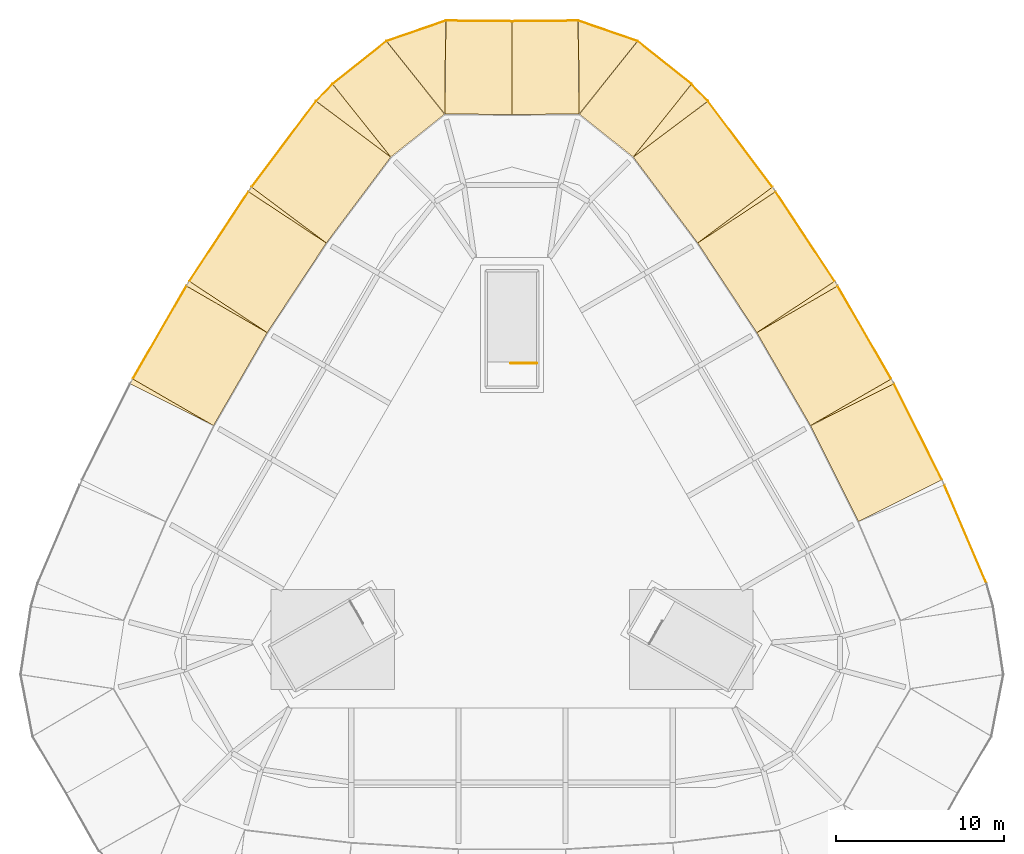
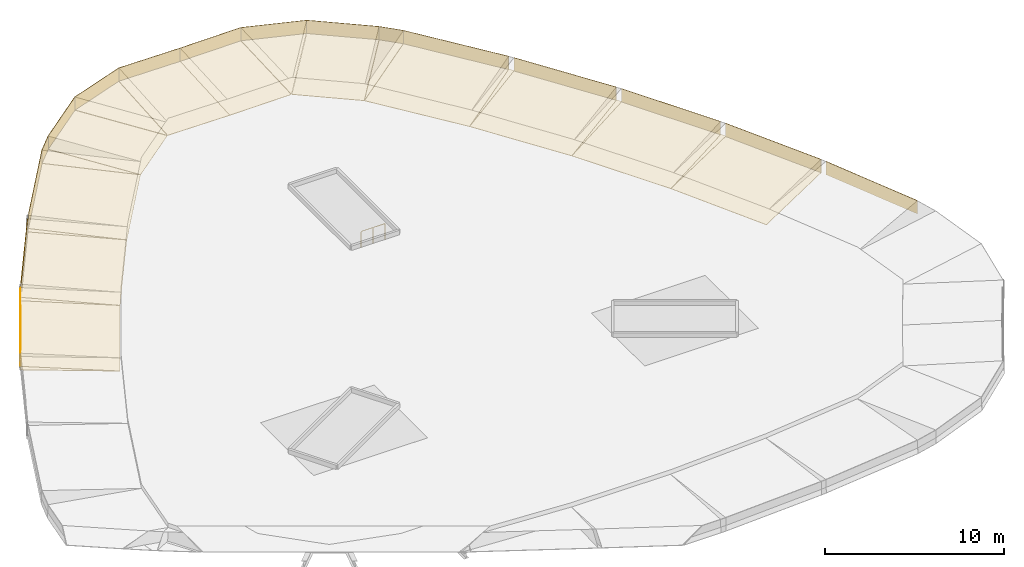
# One storey, part 5 of 9: 37 coverings, 1 railing.
"""IFC4 building model written with IfcOpenShell, lengths in metres."""

from ifc_helpers import new_model, si_unit, direction, frame, origin, origin_2d, place, context, subcontext, project, spatial, polyline, rectangle, circle, outline, extrude, material, layer, layer_set, type_object, element, save


model = new_model("IFC4")

# Units and contexts
model_context = context("Model", 3, precision=1e-05, world=origin(), true_north=direction((0.0, 1.0)))
body_context = subcontext(model_context, "Body", "Model", "MODEL_VIEW")
ifc_project = project(units=[si_unit("LENGTHUNIT", "METRE"), si_unit("AREAUNIT", "SQUARE_METRE"), si_unit("VOLUMEUNIT", "CUBIC_METRE"), si_unit("PLANEANGLEUNIT", "RADIAN"), si_unit("MASSUNIT", "GRAM", prefix="KILO")], contexts=[model_context])

# Site, building, storey
site_placement = place(None, origin())
site = spatial("IfcSite", under=ifc_project, at=site_placement, CompositionType="ELEMENT")
building_placement = place(site_placement, origin())
building = spatial("IfcBuilding", under=site, at=building_placement, Name="Mestral Congress Tower", CompositionType="ELEMENT")
storey_placement = place(building_placement, frame((0.0, 0.0, 348.60009765625)))
storey = spatial("IfcBuildingStorey", under=building, at=storey_placement, Name="L81", CompositionType="ELEMENT", Elevation=348.60009765625)

# Coverings
ifc_material_1 = material(Name="Larch timber", Category="wood")
ifc_layer_1 = layer(ifc_material_1, 0.030029296875)
ifc_layer_set_1 = layer_set([ifc_layer_1], Name="Larch timber")
covering_type_1 = type_object("IfcCoveringType", Name="Crown canopy timber fascia 30", PredefinedType="CLADDING", material=ifc_layer_set_1)
for number, where, z_axis, x_axis, name in (
    (1, (27.039794921875, 0.101318359375, 0.320068359375), (0.0, 0.0, 1.0), (-0.393354694328, 0.919386798062, 0.0), "Canopy fascia 20"),
    (2, (24.208984375, 6.2080078125, 0.320068359375), (0.0, 0.0, 1.0), (-0.447464111303, 0.894301889239, 0.0), "Canopy fascia 22"),
):
    element("IfcCovering", number, at=place(storey_placement, frame(where, z_axis=z_axis, x_axis=x_axis)), inside=storey, type_object=covering_type_1, Name=name, PredefinedType="CLADDING", context=body_context, shape_type="SweptSolid", body=[
        extrude(rectangle(XDim=6.39892578125, YDim=0.030029296875, at=origin_2d()), origin(), (0.0, 0.0, 1.0), 0.89990234375),
    ])
covering_1_placement = place(storey_placement, frame((21.0185546875, 12.135009765625, 0.320068359375), z_axis=(0.0, 0.0, 1.0), x_axis=(-0.500004534492, 0.866022785779, 0.0)))
element("IfcCovering", 3, at=covering_1_placement, inside=storey, type_object=covering_type_1, Name="Canopy fascia 24", PredefinedType="CLADDING", context=body_context, shape_type="SweptSolid", body=[
    extrude(rectangle(XDim=6.399169921875, YDim=0.030029296875, at=origin_2d()), origin(), (0.0, 0.0, 1.0), 0.89990234375),
])
for number, where, z_axis, x_axis, name in (
    (4, (17.480712890625, 17.861572265625, 0.320068359375), (0.0, 0.0, 1.0), (-0.550741531324, 0.83467584467, 0.0), "Canopy fascia 26"),
    (5, (13.607666015625, 23.36669921875, 0.320068359375), (0.0, 0.0, 1.0), (-0.599544753919, 0.800341232255, 0.0), "Canopy fascia 28"),
):
    element("IfcCovering", number, at=place(storey_placement, frame(where, z_axis=z_axis, x_axis=x_axis)), inside=storey, type_object=covering_type_1, Name=name, PredefinedType="CLADDING", context=body_context, shape_type="SweptSolid", body=[
        extrude(rectangle(XDim=6.39892578125, YDim=0.030029296875, at=origin_2d()), origin(), (0.0, 0.0, 1.0), 0.89990234375),
    ])
covering_2_placement = place(storey_placement, frame((11.193603515625, 26.438720703125, 0.320068359375), z_axis=(0.0, 0.0, 1.0), x_axis=(-0.696211037851, 0.717837161739, 0.0)))
element("IfcCovering", 6, at=covering_2_placement, inside=storey, type_object=covering_type_1, Name="Canopy fascia 29", PredefinedType="CLADDING", context=body_context, shape_type="SweptSolid", body=[
    extrude(rectangle(XDim=1.42041015625, YDim=0.030029296875, at=origin_2d()), origin(), (0.0, 0.0, 1.0), 0.89990234375),
])
covering_3_placement = place(storey_placement, frame((9.0966796875, 28.227294921875, 0.320068359375), z_axis=(0.0, 0.0, 1.0), x_axis=(-0.781632613947, 0.623739093543, 0.0)))
element("IfcCovering", 7, at=covering_3_placement, inside=storey, type_object=covering_type_1, Name="Canopy fascia 30", PredefinedType="CLADDING", context=body_context, shape_type="SweptSolid", body=[
    extrude(rectangle(XDim=4.096435546875, YDim=0.030029296875, at=origin_2d()), origin(), (0.0, 0.0, 1.0), 0.89990234375),
])
covering_4_placement = place(storey_placement, frame((5.71826171875, 30.11865234375, 0.320068359375), z_axis=(0.0, 0.0, 1.0), x_axis=(-0.945391790119, 0.325936133583, 0.0)))
element("IfcCovering", 8, at=covering_4_placement, inside=storey, type_object=covering_type_1, Name="Canopy fascia 31", PredefinedType="CLADDING", context=body_context, shape_type="SweptSolid", body=[
    extrude(rectangle(XDim=3.751220703125, YDim=0.030029296875, at=origin_2d()), origin(), (0.0, 0.0, 1.0), 0.89990234375),
])
for number, where, z_axis, x_axis, name in (
    (9, (1.969970703125, 30.712158203125, 0.320068359375), (0.0, 0.0, 1.0), (-0.999954727638, -0.009515391485, 0.0), "Canopy fascia 32"),
    (10, (-1.969970703125, 30.712158203125, 0.320068359375), (0.0, 0.0, 1.0), (-0.999954727638, 0.009515391485, 0.0), "Canopy fascia 34"),
):
    element("IfcCovering", number, at=place(storey_placement, frame(where, z_axis=z_axis, x_axis=x_axis)), inside=storey, type_object=covering_type_1, Name=name, PredefinedType="CLADDING", context=body_context, shape_type="SweptSolid", body=[
        extrude(rectangle(XDim=3.9404296875, YDim=0.030029296875, at=origin_2d()), origin(), (0.0, 0.0, 1.0), 0.89990234375),
    ])
covering_5_placement = place(storey_placement, frame((-5.71826171875, 30.11865234375, 0.320068359375), z_axis=(0.0, 0.0, 1.0), x_axis=(-0.945391790119, -0.325936133583, 0.0)))
element("IfcCovering", 11, at=covering_5_placement, inside=storey, type_object=covering_type_1, Name="Canopy fascia 35", PredefinedType="CLADDING", context=body_context, shape_type="SweptSolid", body=[
    extrude(rectangle(XDim=3.751220703125, YDim=0.030029296875, at=origin_2d()), origin(), (0.0, 0.0, 1.0), 0.89990234375),
])
covering_6_placement = place(storey_placement, frame((-9.0966796875, 28.227294921875, 0.320068359375), z_axis=(0.0, 0.0, 1.0), x_axis=(-0.781632613947, -0.623739093543, 0.0)))
element("IfcCovering", 12, at=covering_6_placement, inside=storey, type_object=covering_type_1, Name="Canopy fascia 36", PredefinedType="CLADDING", context=body_context, shape_type="SweptSolid", body=[
    extrude(rectangle(XDim=4.096435546875, YDim=0.030029296875, at=origin_2d()), origin(), (0.0, 0.0, 1.0), 0.89990234375),
])
covering_7_placement = place(storey_placement, frame((-11.193603515625, 26.438720703125, 0.320068359375), z_axis=(0.0, 0.0, 1.0), x_axis=(-0.696211037851, -0.717837161739, 0.0)))
element("IfcCovering", 13, at=covering_7_placement, inside=storey, type_object=covering_type_1, Name="Canopy fascia 37", PredefinedType="CLADDING", context=body_context, shape_type="SweptSolid", body=[
    extrude(rectangle(XDim=1.42041015625, YDim=0.030029296875, at=origin_2d()), origin(), (0.0, 0.0, 1.0), 0.89990234375),
])
for number, where, z_axis, x_axis, name in (
    (14, (-13.607666015625, 23.36669921875, 0.320068359375), (0.0, 0.0, 1.0), (-0.599544753919, -0.800341232255, 0.0), "Canopy fascia 38"),
    (15, (-17.480712890625, 17.861572265625, 0.320068359375), (0.0, 0.0, 1.0), (-0.550741531324, -0.83467584467, 0.0), "Canopy fascia 40"),
):
    element("IfcCovering", number, at=place(storey_placement, frame(where, z_axis=z_axis, x_axis=x_axis)), inside=storey, type_object=covering_type_1, Name=name, PredefinedType="CLADDING", context=body_context, shape_type="SweptSolid", body=[
        extrude(rectangle(XDim=6.39892578125, YDim=0.030029296875, at=origin_2d()), origin(), (0.0, 0.0, 1.0), 0.89990234375),
    ])
covering_8_placement = place(storey_placement, frame((-21.0185546875, 12.135009765625, 0.320068359375), z_axis=(0.0, 0.0, 1.0), x_axis=(-0.500004534492, -0.866022785779, 0.0)))
element("IfcCovering", 16, at=covering_8_placement, inside=storey, type_object=covering_type_1, Name="Canopy fascia 42", PredefinedType="CLADDING", context=body_context, shape_type="SweptSolid", body=[
    extrude(rectangle(XDim=6.399169921875, YDim=0.030029296875, at=origin_2d()), origin(), (0.0, 0.0, 1.0), 0.89990234375),
])
ifc_layer_2 = layer(ifc_material_1, 0.030029296875)
ifc_layer_set_2 = layer_set([ifc_layer_2], Name="Larch timber")
covering_type_2 = type_object("IfcCoveringType", Name="Crown canopy timber soffit 30", PredefinedType="CLADDING", material=ifc_layer_set_2)
covering_9_placement = place(storey_placement, frame((20.664794921875, 0.857177734375, 0.00146484375), z_axis=(-0.050990308642, -0.025513101378, 0.998373211821), x_axis=(-0.447473000757, 0.894297441343, -4.85925e-07)))
element("IfcCovering", 17, at=covering_9_placement, inside=storey, type_object=covering_type_2, Name="Canopy soffit facet 11", PredefinedType="CLADDING", context=body_context, shape_type="SweptSolid", body=[
    extrude(outline(polyline([(0.0, 0.0), (6.398779560675106, -4.440892098500626e-16), (6.398683653415435, -5.609340018615015), (-0.0003142415959373165, -5.609230949991542), (0.0, 0.0)])), origin(), (0.0, 0.0, -1.0), 0.030029296875),
])
covering_10_placement = place(storey_placement, frame((17.80029296875, 6.58251953125, 0.00146484375), z_axis=(-0.04938043751, -0.028510760766, 0.998373030942), x_axis=(-0.500020753649, 0.866013421328, -5.42987e-07)))
element("IfcCovering", 18, at=covering_10_placement, inside=storey, type_object=covering_type_2, Name="Canopy soffit facet 12", PredefinedType="CLADDING", context=body_context, shape_type="SweptSolid", body=[
    extrude(outline(polyline([(0.0, 0.0), (6.399148107432853, -4.440892098500626e-16), (6.3991224647110085, -5.609034859955986), (-0.00023707177978465522, -5.608912983182996), (0.0, 0.0)])), origin(), (0.0, 0.0, -1.0), 0.030029296875),
])
covering_11_placement = place(storey_placement, frame((14.59912109375, 12.126708984375, 0.00146484375), z_axis=(-0.047592382033, -0.031404119622, 0.998373049738), x_axis=(-0.550749752312, 0.834670420183, 5.98077e-07)))
element("IfcCovering", 19, at=covering_11_placement, inside=storey, type_object=covering_type_2, Name="Canopy soffit facet 13", PredefinedType="CLADDING", context=body_context, shape_type="SweptSolid", body=[
    extrude(outline(polyline([(0.0, 0.0), (6.3993024602374176, 0.0), (6.399169043052908, -5.608939176226926), (7.035977354334942e-05, -5.60907341784836), (0.0, 0.0)])), origin(), (0.0, 0.0, -1.0), 0.030029296875),
])
covering_12_placement = place(storey_placement, frame((11.072998046875, 17.470458984375, 0.00146484375), z_axis=(-0.045634407301, -0.034185015795, 0.998373119413), x_axis=(-0.599542061298, 0.800343249322, 0.0)))
element("IfcCovering", 20, at=covering_12_placement, inside=storey, type_object=covering_type_2, Name="Canopy soffit facet 14", PredefinedType="CLADDING", context=body_context, shape_type="SweptSolid", body=[
    extrude(outline(polyline([(0.0, 0.0), (6.398926829163699, -4.440892098500626e-16), (6.398909056548812, -5.609126305949661), (-1.7772614887777707e-05, -5.60912630594966), (0.0, 0.0)])), origin(), (0.0, 0.0, -1.0), 0.030029296875),
])
covering_13_placement = place(storey_placement, frame((7.227294921875, 22.60107421875, 0.00146484375), z_axis=(-0.035564149532, -0.044565624032, 0.998373225013), x_axis=(-0.781624111354, 0.623749748336, 0.0)))
element("IfcCovering", 21, at=covering_13_placement, inside=storey, type_object=covering_type_2, Name="Canopy soffit facet 15", PredefinedType="CLADDING", context=body_context, shape_type="SweptSolid", body=[
    extrude(outline(polyline([(0.0, 0.0), (4.096475851196139, 0.0), (4.096410287882913, -5.609308210139373), (-6.5563313226491e-05, -5.609308210139373), (0.0, 0.0)])), origin(), (0.0, 0.0, -1.0), 0.030029296875),
])
covering_14_placement = place(storey_placement, frame((3.992919921875, 25.16748046875, 0.00146484375), z_axis=(0.000542159456, -0.05701622547, 0.998373104654), x_axis=(-0.999954524876, -0.009536675364, -1.613056e-06)))
element("IfcCovering", 22, at=covering_14_placement, inside=storey, type_object=covering_type_2, Name="Canopy soffit facet 16", PredefinedType="CLADDING", context=body_context, shape_type="SweptSolid", body=[
    extrude(outline(polyline([(0.0, 0.0), (3.9935898156144756, -6.938893903907228e-18), (3.9401806580743526, -5.609212354205658), (-0.0001819367273535321, -5.608987903488707), (0.0, 0.0)])), origin(), (0.0, 0.0, -1.0), 0.030029296875),
])
covering_15_placement = place(storey_placement, frame((0.00048828125, 25.12939453125, 0.00146484375), z_axis=(-0.000542159456, -0.05701622547, 0.998373104654), x_axis=(-0.999954524876, 0.009536675364, 1.613056e-06)))
element("IfcCovering", 23, at=covering_15_placement, inside=storey, type_object=covering_type_2, Name="Canopy soffit facet 17", PredefinedType="CLADDING", context=body_context, shape_type="SweptSolid", body=[
    extrude(outline(polyline([(0.0, 0.0), (3.9935898156144756, 6.938893903907228e-18), (3.993771752341829, -5.608987903488708), (0.05340915754012336, -5.609212354205658), (0.0, 0.0)])), origin(), (0.0, 0.0, -1.0), 0.030029296875),
])
covering_16_placement = place(storey_placement, frame((-4.025390625, 25.15625, 0.00146484375), z_axis=(0.035564149532, -0.044565624032, 0.998373225013), x_axis=(-0.781624111354, -0.623749748336, 0.0)))
element("IfcCovering", 24, at=covering_16_placement, inside=storey, type_object=covering_type_2, Name="Canopy soffit facet 18", PredefinedType="CLADDING", context=body_context, shape_type="SweptSolid", body=[
    extrude(outline(polyline([(0.0, 0.0), (4.096475851196139, 0.0), (4.096541414509366, -5.609308210139374), (6.5563313226491e-05, -5.609308210139373), (0.0, 0.0)])), origin(), (0.0, 0.0, -1.0), 0.030029296875),
])
covering_17_placement = place(storey_placement, frame((-7.236572265625, 22.591796875, 0.00146484375), z_axis=(0.045634407301, -0.034185015795, 0.998373119413), x_axis=(-0.599542061298, -0.800343249322, 0.0)))
element("IfcCovering", 25, at=covering_17_placement, inside=storey, type_object=covering_type_2, Name="Canopy soffit facet 19", PredefinedType="CLADDING", context=body_context, shape_type="SweptSolid", body=[
    extrude(outline(polyline([(0.0, 0.0), (6.398926829163699, 4.440892098500626e-16), (6.398944601778587, -5.60912630594966), (1.7772614887777707e-05, -5.60912630594966), (0.0, 0.0)])), origin(), (0.0, 0.0, -1.0), 0.030029296875),
])
covering_18_placement = place(storey_placement, frame((-11.07470703125, 17.468017578125, 0.00146484375), z_axis=(0.047592382033, -0.031404119622, 0.998373049738), x_axis=(-0.550749752312, -0.834670420183, -5.98077e-07)))
element("IfcCovering", 26, at=covering_18_placement, inside=storey, type_object=covering_type_2, Name="Canopy soffit facet 20", PredefinedType="CLADDING", context=body_context, shape_type="SweptSolid", body=[
    extrude(outline(polyline([(0.0, 0.0), (6.3993024602374176, 0.0), (6.399232100463874, -5.609073417848359), (0.00013341718450916564, -5.608939176226926), (0.0, 0.0)])), origin(), (0.0, 0.0, -1.0), 0.030029296875),
])
covering_19_placement = place(storey_placement, frame((-14.6005859375, 12.124267578125, 0.00146484375), z_axis=(0.04938043751, -0.028510760766, 0.998373030942), x_axis=(-0.500020753649, -0.866013421328, 5.42987e-07)))
element("IfcCovering", 27, at=covering_19_placement, inside=storey, type_object=covering_type_2, Name="Canopy soffit facet 21", PredefinedType="CLADDING", context=body_context, shape_type="SweptSolid", body=[
    extrude(outline(polyline([(0.0, 0.0), (6.399148107432853, 4.440892098500626e-16), (6.399385179212637, -5.608912983182996), (2.5642721843296087e-05, -5.609034859955985), (0.0, 0.0)])), origin(), (0.0, 0.0, -1.0), 0.030029296875),
])
covering_20_placement = place(storey_placement, frame((17.80078125, 6.5810546875, 0.00146484375), z_axis=(-0.050221297066, -0.027048648793, 0.998371770394), x_axis=(0.892850275415, 0.446729805346, 0.057016372272)))
element("IfcCovering", 28, at=covering_20_placement, inside=storey, type_object=covering_type_2, Name="Canopy soffit corner 12", PredefinedType="CLADDING", context=body_context, shape_type="SweptSolid", body=[
    extrude(outline(polyline([(0.0, 0.0), (5.60934001943578, -3.069376350306463e-16), (5.599293531813003, 0.3339940694091307), (0.0, 0.0)])), origin(), (0.0, 0.0, -1.0), 0.030029296875),
])
covering_21_placement = place(storey_placement, frame((14.599853515625, 12.12548828125, 0.00146484375), z_axis=(-0.048532310439, -0.029978291414, 0.998371632654), x_axis=(0.864606745373, 0.499203320715, 0.057019474247)))
element("IfcCovering", 29, at=covering_21_placement, inside=storey, type_object=covering_type_2, Name="Canopy soffit corner 13", PredefinedType="CLADDING", context=body_context, shape_type="SweptSolid", body=[
    extrude(outline(polyline([(0.0, 0.0), (5.609034860015681, 3.5475095083725705e-16), (5.599127734866535, 0.3338760554855761), (0.0, 0.0)])), origin(), (0.0, 0.0, -1.0), 0.030029296875),
])
covering_22_placement = place(storey_placement, frame((11.073974609375, 17.46923828125, 0.00146484375), z_axis=(-0.046674130764, -0.032796911528, 0.998371618242), x_axis=(0.833325539366, 0.549833805864, 0.057020446935)))
element("IfcCovering", 30, at=covering_22_placement, inside=storey, type_object=covering_type_2, Name="Canopy soffit corner 14", PredefinedType="CLADDING", context=body_context, shape_type="SweptSolid", body=[
    extrude(outline(polyline([(0.0, 0.0), (5.608939177815, 8.673617379884035e-17), (5.599170296732706, 0.3340507515311689), (0.0, 0.0)])), origin(), (0.0, 0.0, -1.0), 0.030029296875),
])
covering_23_placement = place(storey_placement, frame((7.232666015625, 22.596923828125, 0.00146484375), z_axis=(-0.041257465528, -0.040022507867, 0.998346643407), x_axis=(0.799022268775, 0.598592072255, 0.057017059162)))
element("IfcCovering", 31, at=covering_23_placement, inside=storey, type_object=covering_type_2, Name="Canopy soffit corner 15", PredefinedType="CLADDING", context=body_context, shape_type="SweptSolid", body=[
    extrude(outline(polyline([(0.0, 0.0), (5.609272443211054, 2.216109240560371e-16), (5.429311818926585, 1.4089734513429903), (0.0, 0.0)])), origin(), (0.0, 0.0, -1.0), 0.030029296875),
])
covering_24_placement = place(storey_placement, frame((4.01123046875, 25.16748046875, 0.001708984375), z_axis=(-0.01972023485, -0.057195769009, 0.998168200428), x_axis=(0.622717537521, 0.780366445112, 0.057018241012)))
element("IfcCovering", 32, at=covering_24_placement, inside=storey, type_object=covering_type_2, Name="Canopy soffit corner 16", PredefinedType="CLADDING", context=body_context, shape_type="SweptSolid", body=[
    extrude(outline(polyline([(0.0, 0.0), (5.609156176620979, -6.071532165918825e-17), (4.355030914079192, 3.535135827080705), (0.0, 0.0)])), origin(), (0.0, 0.0, -1.0), 0.030029296875),
])
covering_25_placement = place(storey_placement, frame((-4.01123046875, 25.16748046875, 0.001708984375), z_axis=(0.01972023485, -0.057195769009, 0.998168200428), x_axis=(0.009488404059, 0.998328091288, 0.057017473932)))
element("IfcCovering", 33, at=covering_25_placement, inside=storey, type_object=covering_type_2, Name="Canopy soffit corner 18", PredefinedType="CLADDING", context=body_context, shape_type="SweptSolid", body=[
    extrude(outline(polyline([(0.0, 0.0), (5.609231638869537, 0.0), (4.35497232487367, 3.535088268107277), (0.0, 0.0)])), origin(), (0.0, 0.0, -1.0), 0.030029296875),
])
covering_26_placement = place(storey_placement, frame((-7.232666015625, 22.596923828125, 0.00146484375), z_axis=(0.041257465528, -0.040022507867, 0.998346643407), x_axis=(-0.622717537521, 0.780366445112, 0.057018241012)))
element("IfcCovering", 34, at=covering_26_placement, inside=storey, type_object=covering_type_2, Name="Canopy soffit corner 19", PredefinedType="CLADDING", context=body_context, shape_type="SweptSolid", body=[
    extrude(outline(polyline([(0.0, 0.0), (5.609156176620979, 3.0444397003392965e-16), (5.4294243577027865, 1.4090026565449023), (0.0, 0.0)])), origin(), (0.0, 0.0, -1.0), 0.030029296875),
])
covering_27_placement = place(storey_placement, frame((-11.073974609375, 17.46923828125, 0.00146484375), z_axis=(0.046674130764, -0.032796911528, 0.998371618242), x_axis=(-0.799043086082, 0.598564142052, 0.057018544654)))
element("IfcCovering", 35, at=covering_27_placement, inside=storey, type_object=covering_type_2, Name="Canopy soffit corner 20", PredefinedType="CLADDING", context=body_context, shape_type="SweptSolid", body=[
    extrude(outline(polyline([(0.0, 0.0), (5.609126305977818, 7.26415455565288e-18), (5.598983500716041, 0.33403960713897485), (0.0, 0.0)])), origin(), (0.0, 0.0, -1.0), 0.030029296875),
])
covering_28_placement = place(storey_placement, frame((-14.599853515625, 12.12548828125, 0.00146484375), z_axis=(0.048532310439, -0.029978291414, 0.998371632654), x_axis=(-0.833305595606, 0.549864172854, 0.05701908228)))
element("IfcCovering", 36, at=covering_28_placement, inside=storey, type_object=covering_type_2, Name="Canopy soffit corner 21", PredefinedType="CLADDING", context=body_context, shape_type="SweptSolid", body=[
    extrude(outline(polyline([(0.0, 0.0), (5.609073418290963, 2.6313586726223193e-16), (5.59908924496055, 0.3338737603320106), (0.0, 0.0)])), origin(), (0.0, 0.0, -1.0), 0.030029296875),
])
covering_29_placement = place(storey_placement, frame((-17.80078125, 6.5810546875, 0.00146484375), z_axis=(0.050221297066, -0.027048648793, 0.998371770394), x_axis=(-0.864617733196, 0.499184534711, 0.057017328492)))
element("IfcCovering", 37, at=covering_29_placement, inside=storey, type_object=covering_type_2, Name="Canopy soffit corner 22", PredefinedType="CLADDING", context=body_context, shape_type="SweptSolid", body=[
    extrude(outline(polyline([(0.0, 0.0), (5.609245946988188, -2.2724877535296173e-16), (5.5993874373490256, 0.33399967081079596), (0.0, 0.0)])), origin(), (0.0, 0.0, -1.0), 0.030029296875),
])

# Railing
ifc_material_2 = material(Name="Steel balustrade", Category="steel")
railing_type = type_object("IfcRailingType", Name="Stair guard 1100", PredefinedType="GUARDRAIL", material=ifc_material_2)
railing_placement = place(storey_placement, frame((1.47509765625, 10.300048828125, 0.0)))
element("IfcRailing", 38, at=railing_placement, inside=storey, type_object=railing_type, Name="L81 ST2 top well guard 1", PredefinedType="GUARDRAIL", context=body_context, shape_type="SweptSolid", body=[
    extrude(circle(Radius=0.02392578125, at=origin_2d()), frame((0.0, 0.0, 1.076171875), z_axis=(-1.0, 0.0, 0.0), x_axis=(0.0, -1.0, 0.0)), (0.0, 0.0, 1.0), 1.550048828125),
    extrude(circle(Radius=0.02099609375, at=origin_2d()), origin(), (0.0, 0.0, 1.0), 1.052001953125),
    extrude(circle(Radius=0.02099609375, at=origin_2d()), frame((-0.77490234375, 0.0, 0.0)), (0.0, 0.0, 1.0), 1.052001953125),
    extrude(circle(Radius=0.02099609375, at=origin_2d()), frame((-1.550048828125, 0.0, 0.0)), (0.0, 0.0, 1.0), 1.052001953125),
])

save(model, "model.ifc")
